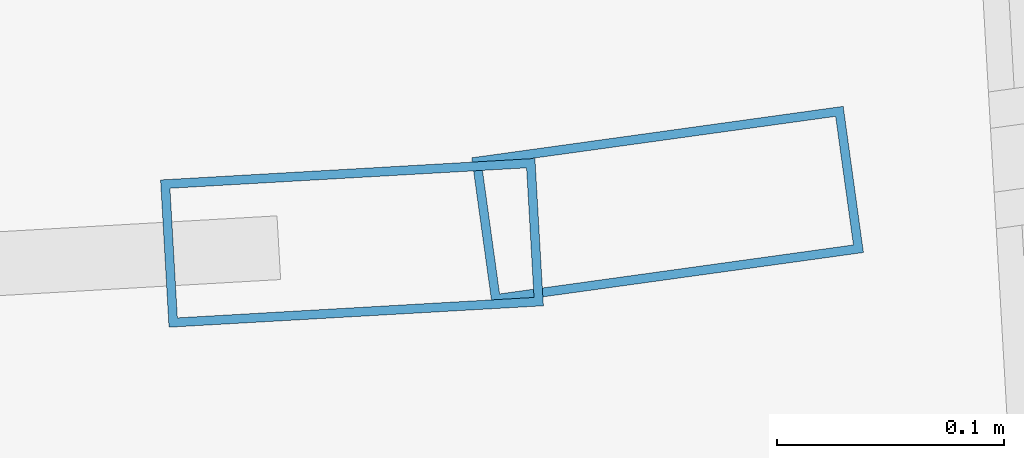
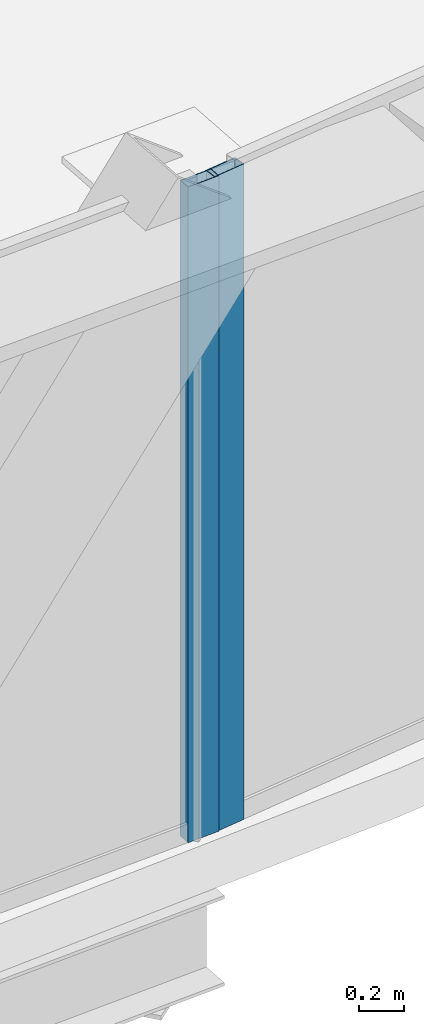
# One storey, part 12 of 36: 2 members, 2 elements without a shape of their own.
"""IFC4 building model written with IfcOpenShell, lengths in metres."""

from ifc_helpers import new_model, si_unit, direction, frame, origin, origin_2d, place, context, subcontext, project, spatial, hollow_rectangle, extrude, source, transform, mapped, material, layer, layer_set, material_profile, profile_set, type_object, element, aggregate, save


model = new_model("IFC4")

# Units and contexts
model_context = context("Model", 3, precision=1e-05, world=origin(), true_north=direction((0.0, 1.0)))
body_context = subcontext(model_context, "Body", "Model", "MODEL_VIEW")
ifc_project = project(units=[si_unit("LENGTHUNIT", "METRE"), si_unit("AREAUNIT", "SQUARE_METRE"), si_unit("VOLUMEUNIT", "CUBIC_METRE"), si_unit("PLANEANGLEUNIT", "RADIAN"), si_unit("MASSUNIT", "GRAM", prefix="KILO"), si_unit("THERMODYNAMICTEMPERATUREUNIT", "KELVIN"), si_unit("POWERUNIT", "WATT")], contexts=[model_context])

# Site, building, storey
site_placement = place(None, origin())
site = spatial("IfcSite", under=ifc_project, at=site_placement, CompositionType="ELEMENT")
building_placement = place(site_placement, origin())
building = spatial("IfcBuilding", under=site, at=building_placement, Name="Yunzhuo Pagoda Commons", CompositionType="ELEMENT")
storey_placement = place(building_placement, frame((0.0, 0.0, 107.780029296875)))
storey = spatial("IfcBuildingStorey", under=building, at=storey_placement, Name="L27", CompositionType="ELEMENT", Elevation=107.780029296875)

# Curtain wall, member
ifc_material = material(Name="Anodized aluminium 6063-T6", Category="aluminium")
ifc_layer = layer(ifc_material, 0.1650390625)
ifc_layer_set = layer_set([ifc_layer], Name="Anodized aluminium 6063-T6")
curtain_wall_type = type_object("IfcCurtainWallType", Name="CW-LOW Low-Zone Ribbon Curtain Wall", PredefinedType="NOTDEFINED", material=ifc_layer_set)
curtain_wall_1_placement = place(storey_placement, origin())
curtain_wall_1 = element("IfcCurtainWall", 1, at=curtain_wall_1_placement, inside=storey, type_object=curtain_wall_type, Name="L27 curtain wall CW-L27-F1B4", PredefinedType="NOTDEFINED")
ifc_material_profile = material_profile(ifc_material, hollow_rectangle(XDim=0.06494140625, YDim=0.1650390625, WallThickness=0.00390625, at=origin_2d()), Name="Anodized aluminium 6063-T6")
ifc_profile_set = profile_set([ifc_material_profile], Name="Anodized aluminium 6063-T6")
member_type = type_object("IfcMemberType", Name="CW-LOW-M Mullion RHS 165x65x4", PredefinedType="MULLION", material=ifc_profile_set)
shared_shape = source(origin(), body_context, "Body", "SweptSolid", [
    extrude(hollow_rectangle(XDim=0.06494140625, YDim=0.1650390625, WallThickness=0.00390625, at=origin_2d()), origin(), (0.0, 0.0, 1.0), 3.5400390625),
])
member_1_placement = place(storey_placement, frame((65.50390625, 12.799072265625, 0.0), z_axis=(0.0, 0.0, 1.0), x_axis=(-0.057152816587, 0.998365441888, 0.0)))
member_1 = element("IfcMember", 2, at=member_1_placement, type_object=member_type, Name="CW mullion 2", PredefinedType="MULLION", context=body_context, shape_type="MappedRepresentation", body=[
    mapped(shared_shape, transform((0.0, 0.0, 0.0), scale=1.0)),
])
aggregate(curtain_wall_1, [member_1])

curtain_wall_2_placement = place(storey_placement, origin())
curtain_wall_2 = element("IfcCurtainWall", 3, at=curtain_wall_2_placement, inside=storey, type_object=curtain_wall_type, Name="L27 curtain wall CW-L27-F1B5", PredefinedType="NOTDEFINED")
member_2_placement = place(storey_placement, frame((65.642822265625, 12.815673828125, 0.0), z_axis=(0.0, 0.0, 1.0), x_axis=(-0.137082225692, 0.990559671801, 0.0)))
member_2 = element("IfcMember", 4, at=member_2_placement, type_object=member_type, Name="CW mullion 1", PredefinedType="MULLION", context=body_context, shape_type="MappedRepresentation", body=[
    mapped(shared_shape, transform((0.0, 0.0, 0.0), scale=1.0)),
])
aggregate(curtain_wall_2, [member_2])

save(model, "model.ifc")
